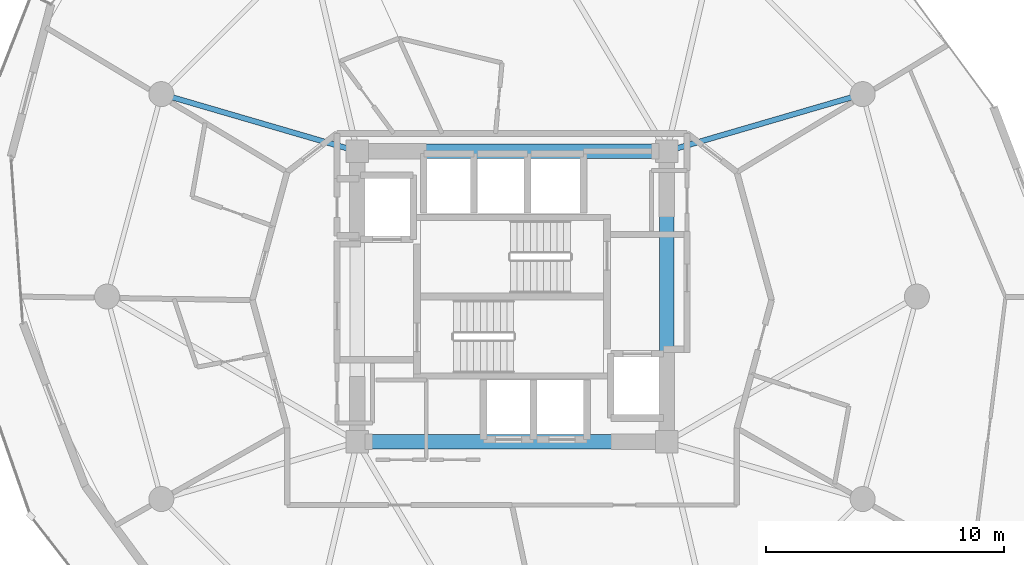
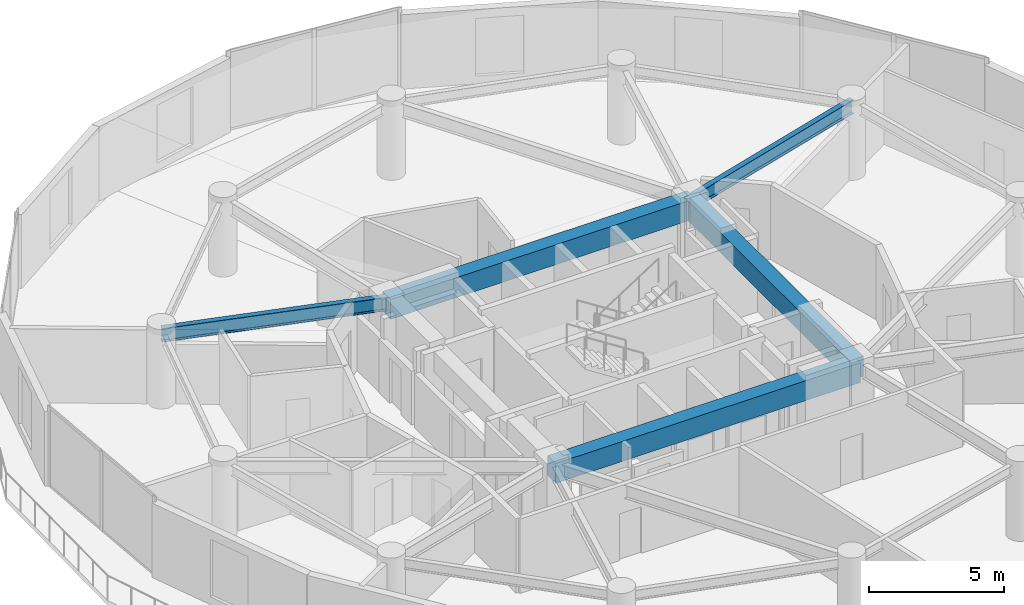
# One storey, part 8 of 22: 5 beams.
"""IFC4 building model written with IfcOpenShell, lengths in metres."""

from ifc_helpers import new_model, si_unit, direction, frame, origin, origin_2d, place, context, subcontext, project, spatial, rectangle, i_section, extrude, material, material_profile, profile_set, type_object, element, save


model = new_model("IFC4")

# Units and contexts
model_context = context("Model", 3, precision=1e-05, world=origin(), true_north=direction((0.0, 1.0)))
body_context = subcontext(model_context, "Body", "Model", "MODEL_VIEW")
ifc_project = project(units=[si_unit("LENGTHUNIT", "METRE"), si_unit("AREAUNIT", "SQUARE_METRE"), si_unit("VOLUMEUNIT", "CUBIC_METRE"), si_unit("PLANEANGLEUNIT", "RADIAN"), si_unit("MASSUNIT", "GRAM", prefix="KILO")], contexts=[model_context])

# Site, building, storey
site_placement = place(None, origin())
site = spatial("IfcSite", under=ifc_project, at=site_placement, CompositionType="ELEMENT")
building_placement = place(site_placement, origin())
building = spatial("IfcBuilding", under=site, at=building_placement, Name="Solvirekh Grand Hotel", CompositionType="ELEMENT")
storey_placement = place(building_placement, frame((0.0, 0.0, 149.39990234375)))
storey = spatial("IfcBuildingStorey", under=building, at=storey_placement, Name="L38", CompositionType="ELEMENT", Elevation=149.39990234375)

# Beams
ifc_material_1 = material(Name="Concrete C50/60", Category="concrete")
ifc_material_profile_1 = material_profile(ifc_material_1, rectangle(XDim=0.60009765625, YDim=0.89990234375, at=origin_2d()), Name="RC BEAM 600X900")
ifc_profile_set_1 = profile_set([ifc_material_profile_1], Name="Concrete C50/60")
beam_type_1 = type_object("IfcBeamType", Name="Beam_Core_RC900", PredefinedType="BEAM", material=ifc_profile_set_1)
beam_1_placement = place(storey_placement, frame((-6.5, -6.10009765625, 2.900146484375), z_axis=(1.0, 0.0, 0.0), x_axis=(0.0, 1.0, 0.0)))
element("IfcBeam", 1, at=beam_1_placement, inside=storey, type_object=beam_type_1, Name="L38 core coupling ring beam 1", PredefinedType="BEAM", context=body_context, shape_type="SweptSolid", body=[
    extrude(rectangle(XDim=0.60009765625, YDim=0.89990234375, at=origin_2d()), origin(), (0.0, 0.0, 1.0), 13.0),
])
beam_2_placement = place(storey_placement, frame((6.5, -6.10009765625, 2.900146484375), z_axis=(0.0, 1.0, 0.0), x_axis=(-1.0, 0.0, 0.0)))
element("IfcBeam", 2, at=beam_2_placement, inside=storey, type_object=beam_type_1, Name="L38 core coupling ring beam 2", PredefinedType="BEAM", context=body_context, shape_type="SweptSolid", body=[
    extrude(rectangle(XDim=0.60009765625, YDim=0.89990234375, at=origin_2d()), origin(), (0.0, 0.0, 1.0), 12.2001953125),
])
beam_3_placement = place(storey_placement, frame((6.5, 6.10009765625, 2.900146484375), z_axis=(-1.0, 0.0, 0.0), x_axis=(0.0, -1.0, 0.0)))
element("IfcBeam", 3, at=beam_3_placement, inside=storey, type_object=beam_type_1, Name="L38 core coupling ring beam 3", PredefinedType="BEAM", context=body_context, shape_type="SweptSolid", body=[
    extrude(rectangle(XDim=0.60009765625, YDim=0.89990234375, at=origin_2d()), origin(), (0.0, 0.0, 1.0), 13.0),
])
ifc_material_2 = material(Name="Steel S355", Category="steel")
ifc_material_profile_2 = material_profile(ifc_material_2, i_section(OverallWidth=0.22802734375, OverallDepth=0.616943359375, WebThickness=0.012939453125, FlangeThickness=0.02001953125, FilletRadius=0.014892578125, at=origin_2d()), Name="W610X140")
ifc_profile_set_2 = profile_set([ifc_material_profile_2], Name="Steel S355")
beam_type_2 = type_object("IfcBeamType", Name="Beam_Radial_W610", PredefinedType="BEAM", material=ifc_profile_set_2)
for number, where, z_axis, x_axis, name in (
    (4, (6.5, 6.10009765625, 3.041015625), (0.959942195467, 0.28019811092, 0.0), (-0.28019811092, 0.959942195467, 0.0), "L38 radial floor beam R02"),
    (5, (-6.5, 6.10009765625, 3.041015625), (-0.959942195467, 0.28019811092, 0.0), (-0.28019811092, -0.959942195467, 0.0), "L38 radial floor beam R06"),
):
    element("IfcBeam", number, at=place(storey_placement, frame(where, z_axis=z_axis, x_axis=x_axis)), inside=storey, type_object=beam_type_2, Name=name, PredefinedType="BEAM", context=body_context, shape_type="SweptSolid", body=[
        extrude(i_section(OverallWidth=0.22802734375, OverallDepth=0.616943359375, WebThickness=0.012939453125, FlangeThickness=0.02001953125, FilletRadius=0.014892578125, at=origin_2d()), origin(), (0.0, 0.0, 1.0), 8.56494140625),
    ])

save(model, "model.ifc")
